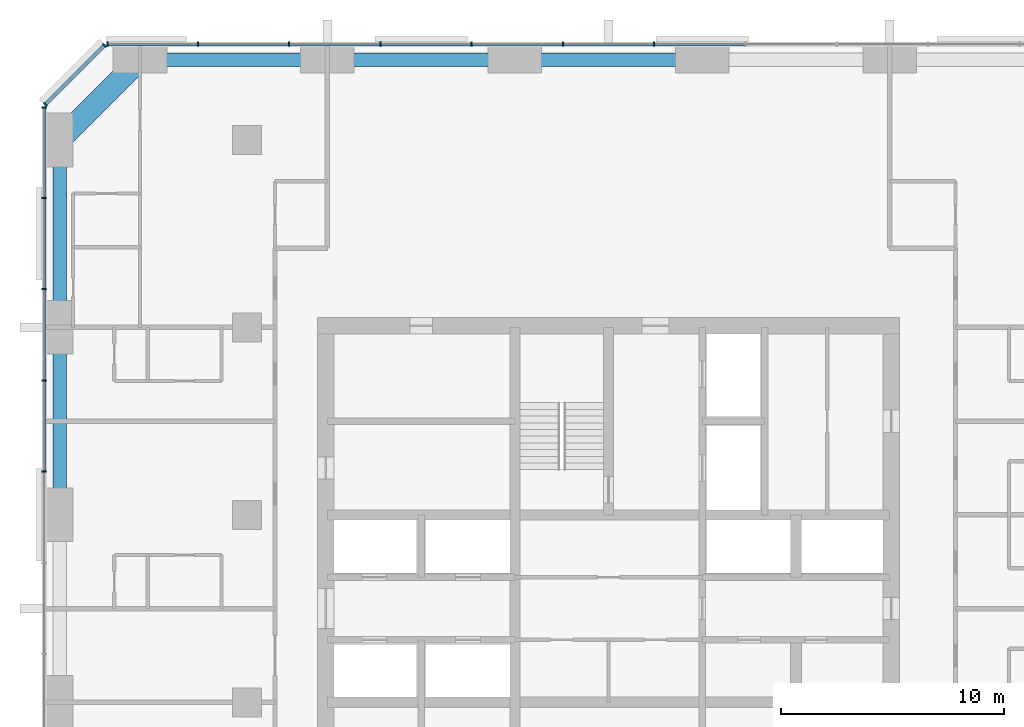
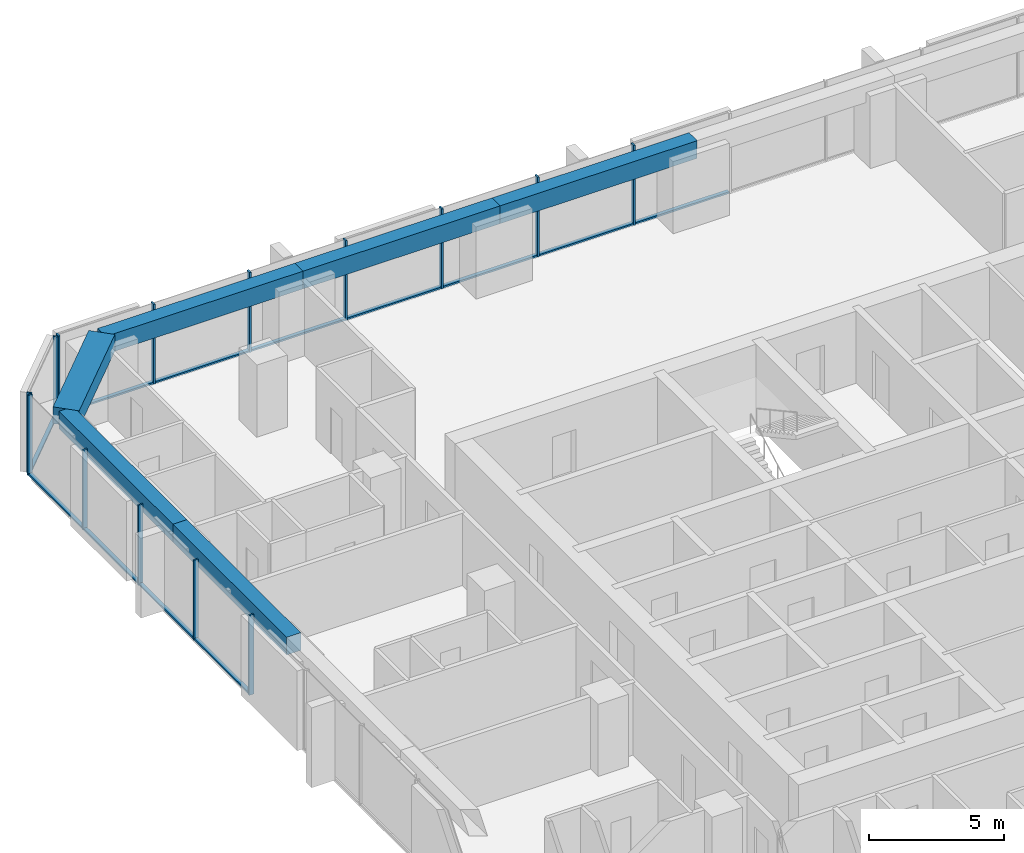
# One storey, part 5 of 14: 26 members, 6 beams, 3 elements without a shape of their own.
"""IFC4 building model written with IfcOpenShell, lengths in metres."""

from ifc_helpers import new_model, si_unit, direction, frame, origin, origin_2d, place, context, subcontext, project, spatial, rectangle, extrude, material, material_profile, profile_set, type_object, element, aggregate, save


model = new_model("IFC4")

# Units and contexts
model_context = context("Model", 3, precision=1e-05, world=origin(), true_north=direction((0.0, 1.0)))
body_context = subcontext(model_context, "Body", "Model", "MODEL_VIEW")
ifc_project = project(units=[si_unit("LENGTHUNIT", "METRE"), si_unit("AREAUNIT", "SQUARE_METRE"), si_unit("VOLUMEUNIT", "CUBIC_METRE"), si_unit("PLANEANGLEUNIT", "RADIAN"), si_unit("MASSUNIT", "GRAM", prefix="KILO")], contexts=[model_context])

# Site, building, storey
site_placement = place(None, origin())
site = spatial("IfcSite", under=ifc_project, at=site_placement, CompositionType="ELEMENT")
building_placement = place(site_placement, origin())
building = spatial("IfcBuilding", under=site, at=building_placement, Name="Dunama Terrace Hotel", CompositionType="ELEMENT")
storey_placement = place(building_placement, frame((0.0, 0.0, 177.0)))
storey = spatial("IfcBuildingStorey", under=building, at=storey_placement, Name="L45", CompositionType="ELEMENT", Elevation=177.0)

# Curtain wall, members
ifc_material_1 = material(Name="Aluminium curtain wall system", Category="aluminium")
curtain_wall_type = type_object("IfcCurtainWallType", Name="Unitised fritted glass wall CW-C", PredefinedType="NOTDEFINED", material=ifc_material_1)
curtain_wall_1_placement = place(storey_placement, origin())
curtain_wall_1 = element("IfcCurtainWall", 1, at=curtain_wall_1_placement, inside=storey, type_object=curtain_wall_type, Name="Unitised fritted glass wall CW-C L45", PredefinedType="NOTDEFINED")
ifc_material_2 = material(Name="Aluminium mullion", Category="aluminium")
ifc_material_profile_1 = material_profile(ifc_material_2, rectangle(XDim=0.070068359375, YDim=0.199951171875, at=origin_2d()), Name="CWC MULLION 70X200")
ifc_profile_set_1 = profile_set([ifc_material_profile_1], Name="Aluminium mullion")
member_type_1 = type_object("IfcMemberType", Name="CWC mullion 70x200", PredefinedType="MULLION", material=ifc_profile_set_1)
member_1_placement = place(storey_placement, frame((31.445068359375, 54.699951171875, 0.0), z_axis=(0.0, 0.0, 1.0), x_axis=(-1.0, 0.0, 0.0)))
member_1 = element("IfcMember", 2, at=member_1_placement, type_object=member_type_1, Name="CWC mullion", PredefinedType="MULLION", context=body_context, shape_type="SweptSolid", body=[
    extrude(rectangle(XDim=0.070068359375, YDim=0.199951171875, at=origin_2d()), origin(), (0.0, 0.0, 1.0), 3.60009765625),
])
member_2_placement = place(storey_placement, frame((27.35498046875, 54.699951171875, 0.0), z_axis=(0.0, 0.0, 1.0), x_axis=(-1.0, 0.0, 0.0)))
member_2 = element("IfcMember", 3, at=member_2_placement, type_object=member_type_1, Name="CWC mullion", PredefinedType="MULLION", context=body_context, shape_type="SweptSolid", body=[
    extrude(rectangle(XDim=0.070068359375, YDim=0.199951171875, at=origin_2d()), origin(), (0.0, 0.0, 1.0), 3.60009765625),
])
member_3_placement = place(storey_placement, frame((23.263916015625, 54.699951171875, 0.0), z_axis=(0.0, 0.0, 1.0), x_axis=(-1.0, 0.0, 0.0)))
member_3 = element("IfcMember", 4, at=member_3_placement, type_object=member_type_1, Name="CWC mullion", PredefinedType="MULLION", context=body_context, shape_type="SweptSolid", body=[
    extrude(rectangle(XDim=0.070068359375, YDim=0.199951171875, at=origin_2d()), origin(), (0.0, 0.0, 1.0), 3.60009765625),
])
member_4_placement = place(storey_placement, frame((19.173095703125, 54.699951171875, 0.0), z_axis=(0.0, 0.0, 1.0), x_axis=(-1.0, 0.0, 0.0)))
member_4 = element("IfcMember", 5, at=member_4_placement, type_object=member_type_1, Name="CWC mullion", PredefinedType="MULLION", context=body_context, shape_type="SweptSolid", body=[
    extrude(rectangle(XDim=0.070068359375, YDim=0.199951171875, at=origin_2d()), origin(), (0.0, 0.0, 1.0), 3.60009765625),
])
member_5_placement = place(storey_placement, frame((15.08203125, 54.699951171875, 0.0), z_axis=(0.0, 0.0, 1.0), x_axis=(-1.0, 0.0, 0.0)))
member_5 = element("IfcMember", 6, at=member_5_placement, type_object=member_type_1, Name="CWC mullion", PredefinedType="MULLION", context=body_context, shape_type="SweptSolid", body=[
    extrude(rectangle(XDim=0.070068359375, YDim=0.199951171875, at=origin_2d()), origin(), (0.0, 0.0, 1.0), 3.60009765625),
])
member_6_placement = place(storey_placement, frame((10.990966796875, 54.699951171875, 0.0), z_axis=(0.0, 0.0, 1.0), x_axis=(-1.0, 0.0, 0.0)))
member_6 = element("IfcMember", 7, at=member_6_placement, type_object=member_type_1, Name="CWC mullion", PredefinedType="MULLION", context=body_context, shape_type="SweptSolid", body=[
    extrude(rectangle(XDim=0.070068359375, YDim=0.199951171875, at=origin_2d()), origin(), (0.0, 0.0, 1.0), 3.60009765625),
])
member_7_placement = place(storey_placement, frame((6.93505859375, 54.699951171875, 0.0), z_axis=(0.0, 0.0, 1.0), x_axis=(-1.0, 0.0, 0.0)))
member_7 = element("IfcMember", 8, at=member_7_placement, type_object=member_type_1, Name="CWC mullion", PredefinedType="MULLION", context=body_context, shape_type="SweptSolid", body=[
    extrude(rectangle(XDim=0.070068359375, YDim=0.199951171875, at=origin_2d()), origin(), (0.0, 0.0, 1.0), 3.60009765625),
])

curtain_wall_2_placement = place(storey_placement, origin())
curtain_wall_2 = element("IfcCurtainWall", 9, at=curtain_wall_2_placement, inside=storey, type_object=curtain_wall_type, Name="Unitised fritted glass wall CW-C L45", PredefinedType="NOTDEFINED")
member_8_placement = place(storey_placement, frame((6.804931640625, 54.64599609375, 0.0), z_axis=(0.0, 0.0, 1.0), x_axis=(-0.707106781187, -0.707106781187, 0.0)))
member_8 = element("IfcMember", 10, at=member_8_placement, type_object=member_type_1, Name="CWC mullion", PredefinedType="MULLION", context=body_context, shape_type="SweptSolid", body=[
    extrude(rectangle(XDim=0.070068359375, YDim=0.199951171875, at=origin_2d()), origin(), (0.0, 0.0, 1.0), 3.60009765625),
])
member_9_placement = place(storey_placement, frame((4.154052734375, 51.9951171875, 0.0), z_axis=(0.0, 0.0, 1.0), x_axis=(-0.707106781187, -0.707106781187, 0.0)))
member_9 = element("IfcMember", 11, at=member_9_placement, type_object=member_type_1, Name="CWC mullion", PredefinedType="MULLION", context=body_context, shape_type="SweptSolid", body=[
    extrude(rectangle(XDim=0.070068359375, YDim=0.199951171875, at=origin_2d()), origin(), (0.0, 0.0, 1.0), 3.60009765625),
])

curtain_wall_3_placement = place(storey_placement, origin())
curtain_wall_3 = element("IfcCurtainWall", 12, at=curtain_wall_3_placement, inside=storey, type_object=curtain_wall_type, Name="Unitised fritted glass wall CW-C L45", PredefinedType="NOTDEFINED")
member_10_placement = place(storey_placement, frame((4.10009765625, 51.864990234375, 0.0), z_axis=(0.0, 0.0, 1.0), x_axis=(0.0, -1.0, 0.0)))
member_10 = element("IfcMember", 13, at=member_10_placement, type_object=member_type_1, Name="CWC mullion", PredefinedType="MULLION", context=body_context, shape_type="SweptSolid", body=[
    extrude(rectangle(XDim=0.070068359375, YDim=0.199951171875, at=origin_2d()), origin(), (0.0, 0.0, 1.0), 3.60009765625),
])
member_11_placement = place(storey_placement, frame((4.10009765625, 47.80908203125, 0.0), z_axis=(0.0, 0.0, 1.0), x_axis=(0.0, -1.0, 0.0)))
member_11 = element("IfcMember", 14, at=member_11_placement, type_object=member_type_1, Name="CWC mullion", PredefinedType="MULLION", context=body_context, shape_type="SweptSolid", body=[
    extrude(rectangle(XDim=0.070068359375, YDim=0.199951171875, at=origin_2d()), origin(), (0.0, 0.0, 1.0), 3.60009765625),
])
member_12_placement = place(storey_placement, frame((4.10009765625, 43.718017578125, 0.0), z_axis=(0.0, 0.0, 1.0), x_axis=(0.0, -1.0, 0.0)))
member_12 = element("IfcMember", 15, at=member_12_placement, type_object=member_type_1, Name="CWC mullion", PredefinedType="MULLION", context=body_context, shape_type="SweptSolid", body=[
    extrude(rectangle(XDim=0.070068359375, YDim=0.199951171875, at=origin_2d()), origin(), (0.0, 0.0, 1.0), 3.60009765625),
])
member_13_placement = place(storey_placement, frame((4.10009765625, 39.626953125, 0.0), z_axis=(0.0, 0.0, 1.0), x_axis=(0.0, -1.0, 0.0)))
member_13 = element("IfcMember", 16, at=member_13_placement, type_object=member_type_1, Name="CWC mullion", PredefinedType="MULLION", context=body_context, shape_type="SweptSolid", body=[
    extrude(rectangle(XDim=0.070068359375, YDim=0.199951171875, at=origin_2d()), origin(), (0.0, 0.0, 1.0), 3.60009765625),
])
member_14_placement = place(storey_placement, frame((4.10009765625, 35.535888671875, 0.0), z_axis=(0.0, 0.0, 1.0), x_axis=(0.0, -1.0, 0.0)))
member_14 = element("IfcMember", 17, at=member_14_placement, type_object=member_type_1, Name="CWC mullion", PredefinedType="MULLION", context=body_context, shape_type="SweptSolid", body=[
    extrude(rectangle(XDim=0.070068359375, YDim=0.199951171875, at=origin_2d()), origin(), (0.0, 0.0, 1.0), 3.60009765625),
])

# Member
ifc_material_3 = material(Name="Aluminium transom", Category="aluminium")
ifc_material_profile_2 = material_profile(ifc_material_3, rectangle(XDim=0.159912109375, YDim=0.080078125, at=origin_2d()), Name="CWC TRANSOM 160X80")
ifc_profile_set_2 = profile_set([ifc_material_profile_2], Name="Aluminium transom")
member_type_2 = type_object("IfcMemberType", Name="CWC transom 160x80", PredefinedType="USERDEFINED", material=ifc_profile_set_2)
member_15_placement = place(storey_placement, frame((35.5009765625, 54.699951171875, 0.0400390625), z_axis=(-1.0, 0.0, 0.0), x_axis=(0.0, -1.0, 0.0)))
member_15 = element("IfcMember", 18, at=member_15_placement, type_object=member_type_2, Name="CWC transom", ObjectType="TRANSOM", PredefinedType="USERDEFINED", context=body_context, shape_type="SweptSolid", body=[
    extrude(rectangle(XDim=0.159912109375, YDim=0.080078125, at=origin_2d()), origin(), (0.0, 0.0, 1.0), 4.02099609375),
])

member_16_placement = place(storey_placement, frame((31.409912109375, 54.699951171875, 0.0400390625), z_axis=(-1.0, 0.0, 0.0), x_axis=(0.0, -1.0, 0.0)))
member_16 = element("IfcMember", 19, at=member_16_placement, type_object=member_type_2, Name="CWC transom", ObjectType="TRANSOM", PredefinedType="USERDEFINED", context=body_context, shape_type="SweptSolid", body=[
    extrude(rectangle(XDim=0.159912109375, YDim=0.080078125, at=origin_2d()), origin(), (0.0, 0.0, 1.0), 4.02001953125),
])

member_17_placement = place(storey_placement, frame((27.320068359375, 54.699951171875, 0.0400390625), z_axis=(-1.0, 0.0, 0.0), x_axis=(0.0, -1.0, 0.0)))
member_17 = element("IfcMember", 20, at=member_17_placement, type_object=member_type_2, Name="CWC transom", ObjectType="TRANSOM", PredefinedType="USERDEFINED", context=body_context, shape_type="SweptSolid", body=[
    extrude(rectangle(XDim=0.159912109375, YDim=0.080078125, at=origin_2d()), origin(), (0.0, 0.0, 1.0), 4.02099609375),
])

member_18_placement = place(storey_placement, frame((23.22900390625, 54.699951171875, 0.0400390625), z_axis=(-1.0, 0.0, 0.0), x_axis=(0.0, -1.0, 0.0)))
member_18 = element("IfcMember", 21, at=member_18_placement, type_object=member_type_2, Name="CWC transom", ObjectType="TRANSOM", PredefinedType="USERDEFINED", context=body_context, shape_type="SweptSolid", body=[
    extrude(rectangle(XDim=0.159912109375, YDim=0.080078125, at=origin_2d()), origin(), (0.0, 0.0, 1.0), 4.02099609375),
])

member_19_placement = place(storey_placement, frame((19.137939453125, 54.699951171875, 0.0400390625), z_axis=(-1.0, 0.0, 0.0), x_axis=(0.0, -1.0, 0.0)))
member_19 = element("IfcMember", 22, at=member_19_placement, type_object=member_type_2, Name="CWC transom", ObjectType="TRANSOM", PredefinedType="USERDEFINED", context=body_context, shape_type="SweptSolid", body=[
    extrude(rectangle(XDim=0.159912109375, YDim=0.080078125, at=origin_2d()), origin(), (0.0, 0.0, 1.0), 4.02099609375),
])

member_20_placement = place(storey_placement, frame((15.047119140625, 54.699951171875, 0.0400390625), z_axis=(-1.0, 0.0, 0.0), x_axis=(0.0, -1.0, 0.0)))
member_20 = element("IfcMember", 23, at=member_20_placement, type_object=member_type_2, Name="CWC transom", ObjectType="TRANSOM", PredefinedType="USERDEFINED", context=body_context, shape_type="SweptSolid", body=[
    extrude(rectangle(XDim=0.159912109375, YDim=0.080078125, at=origin_2d()), origin(), (0.0, 0.0, 1.0), 4.021240234375),
])

member_21_placement = place(storey_placement, frame((10.9560546875, 54.699951171875, 0.0400390625), z_axis=(-1.0, 0.0, 0.0), x_axis=(0.0, -1.0, 0.0)))
member_21 = element("IfcMember", 24, at=member_21_placement, type_object=member_type_2, Name="CWC transom", ObjectType="TRANSOM", PredefinedType="USERDEFINED", context=body_context, shape_type="SweptSolid", body=[
    extrude(rectangle(XDim=0.159912109375, YDim=0.080078125, at=origin_2d()), origin(), (0.0, 0.0, 1.0), 3.986083984375),
])

aggregate(curtain_wall_1, [member_1, member_2, member_3, member_4, member_5, member_6, member_7, member_15, member_16, member_17, member_18, member_19, member_20, member_21])

member_22_placement = place(storey_placement, frame((6.780029296875, 54.62109375, 0.0400390625), z_axis=(-0.707106781187, -0.707106781187, 0.0), x_axis=(0.707106781187, -0.707106781187, 0.0)))
member_22 = element("IfcMember", 25, at=member_22_placement, type_object=member_type_2, Name="CWC transom", ObjectType="TRANSOM", PredefinedType="USERDEFINED", context=body_context, shape_type="SweptSolid", body=[
    extrude(rectangle(XDim=0.159912109375, YDim=0.080078125, at=origin_2d()), origin(), (0.0, 0.0, 1.0), 3.678466796875),
])

aggregate(curtain_wall_2, [member_8, member_9, member_22])

member_23_placement = place(storey_placement, frame((4.10009765625, 51.830078125, 0.0400390625), z_axis=(0.0, -1.0, 0.0), x_axis=(1.0, 0.0, 0.0)))
member_23 = element("IfcMember", 26, at=member_23_placement, type_object=member_type_2, Name="CWC transom", ObjectType="TRANSOM", PredefinedType="USERDEFINED", context=body_context, shape_type="SweptSolid", body=[
    extrude(rectangle(XDim=0.159912109375, YDim=0.080078125, at=origin_2d()), origin(), (0.0, 0.0, 1.0), 3.986083984375),
])

member_24_placement = place(storey_placement, frame((4.10009765625, 47.77392578125, 0.0400390625), z_axis=(0.0, -1.0, 0.0), x_axis=(1.0, 0.0, 0.0)))
member_24 = element("IfcMember", 27, at=member_24_placement, type_object=member_type_2, Name="CWC transom", ObjectType="TRANSOM", PredefinedType="USERDEFINED", context=body_context, shape_type="SweptSolid", body=[
    extrude(rectangle(XDim=0.159912109375, YDim=0.080078125, at=origin_2d()), origin(), (0.0, 0.0, 1.0), 4.02099609375),
])

member_25_placement = place(storey_placement, frame((4.10009765625, 43.68310546875, 0.0400390625), z_axis=(0.0, -1.0, 0.0), x_axis=(1.0, 0.0, 0.0)))
member_25 = element("IfcMember", 28, at=member_25_placement, type_object=member_type_2, Name="CWC transom", ObjectType="TRANSOM", PredefinedType="USERDEFINED", context=body_context, shape_type="SweptSolid", body=[
    extrude(rectangle(XDim=0.159912109375, YDim=0.080078125, at=origin_2d()), origin(), (0.0, 0.0, 1.0), 4.02099609375),
])

member_26_placement = place(storey_placement, frame((4.10009765625, 39.592041015625, 0.0400390625), z_axis=(0.0, -1.0, 0.0), x_axis=(1.0, 0.0, 0.0)))
member_26 = element("IfcMember", 29, at=member_26_placement, type_object=member_type_2, Name="CWC transom", ObjectType="TRANSOM", PredefinedType="USERDEFINED", context=body_context, shape_type="SweptSolid", body=[
    extrude(rectangle(XDim=0.159912109375, YDim=0.080078125, at=origin_2d()), origin(), (0.0, 0.0, 1.0), 4.02099609375),
])

aggregate(curtain_wall_3, [member_10, member_11, member_12, member_13, member_14, member_23, member_24, member_25, member_26])

# Beams
ifc_material_4 = material(Name="Concrete C50/60", Category="concrete")
ifc_material_profile_3 = material_profile(ifc_material_4, rectangle(XDim=1.0, YDim=0.75, at=origin_2d()), Name="RC 1000x750")
ifc_profile_set_3 = profile_set([ifc_material_profile_3], Name="Concrete C50/60")
beam_type_1 = type_object("IfcBeamType", Name="Edge beam RC 1000x750", PredefinedType="SPANDREL", material=ifc_profile_set_3)
beam_1_placement = place(storey_placement, frame((8.39990234375, 54.0, 3.22509765625), z_axis=(-0.707082803744, -0.707130757816, 0.0), x_axis=(0.707130757816, -0.707082803744, 0.0)))
element("IfcBeam", 30, at=beam_1_placement, inside=storey, type_object=beam_type_1, Name="Corner edge beam under L46", PredefinedType="SPANDREL", context=body_context, shape_type="SweptSolid", body=[
    extrude(rectangle(XDim=1.0, YDim=0.75, at=origin_2d()), origin(), (0.0, 0.0, 1.0), 5.091064453125),
])
ifc_material_5 = material(Name="Concrete C40/50", Category="concrete")
ifc_material_profile_4 = material_profile(ifc_material_5, rectangle(XDim=0.60009765625, YDim=0.800048828125, at=origin_2d()), Name="RC 600x800")
ifc_profile_set_4 = profile_set([ifc_material_profile_4], Name="Concrete C40/50")
beam_type_2 = type_object("IfcBeamType", Name="Edge beam RC 600x800", PredefinedType="SPANDREL", material=ifc_profile_set_4)
for number, where, z_axis, x_axis, name in (
    (31, (4.800048828125, 33.60009765625, 3.199951171875), (0.0, 1.0, 0.0), (-1.0, 0.0, 0.0), "Edge beam under L46"),
    (32, (4.800048828125, 42.0, 3.199951171875), (0.0, 1.0, 0.0), (-1.0, 0.0, 0.0), "Edge beam under L46"),
):
    element("IfcBeam", number, at=place(storey_placement, frame(where, z_axis=z_axis, x_axis=x_axis)), inside=storey, type_object=beam_type_2, Name=name, PredefinedType="SPANDREL", context=body_context, shape_type="SweptSolid", body=[
        extrude(rectangle(XDim=0.60009765625, YDim=0.800048828125, at=origin_2d()), origin(), (0.0, 0.0, 1.0), 8.39990234375),
    ])
beam_2_placement = place(storey_placement, frame((8.39990234375, 54.0, 3.199951171875), z_axis=(1.0, 0.0, 0.0), x_axis=(0.0, 1.0, 0.0)))
element("IfcBeam", 33, at=beam_2_placement, inside=storey, type_object=beam_type_2, Name="Edge beam under L46", PredefinedType="SPANDREL", context=body_context, shape_type="SweptSolid", body=[
    extrude(rectangle(XDim=0.60009765625, YDim=0.800048828125, at=origin_2d()), origin(), (0.0, 0.0, 1.0), 8.400146484375),
])
beam_3_placement = place(storey_placement, frame((16.800048828125, 54.0, 3.199951171875), z_axis=(1.0, 0.0, 0.0), x_axis=(0.0, 1.0, 0.0)))
element("IfcBeam", 34, at=beam_3_placement, inside=storey, type_object=beam_type_2, Name="Edge beam under L46", PredefinedType="SPANDREL", context=body_context, shape_type="SweptSolid", body=[
    extrude(rectangle(XDim=0.60009765625, YDim=0.800048828125, at=origin_2d()), origin(), (0.0, 0.0, 1.0), 8.39990234375),
])
beam_4_placement = place(storey_placement, frame((25.199951171875, 54.0, 3.199951171875), z_axis=(1.0, 0.0, 0.0), x_axis=(0.0, 1.0, 0.0)))
element("IfcBeam", 35, at=beam_4_placement, inside=storey, type_object=beam_type_2, Name="Edge beam under L46", PredefinedType="SPANDREL", context=body_context, shape_type="SweptSolid", body=[
    extrude(rectangle(XDim=0.60009765625, YDim=0.800048828125, at=origin_2d()), origin(), (0.0, 0.0, 1.0), 8.400146484375),
])

save(model, "model.ifc")
